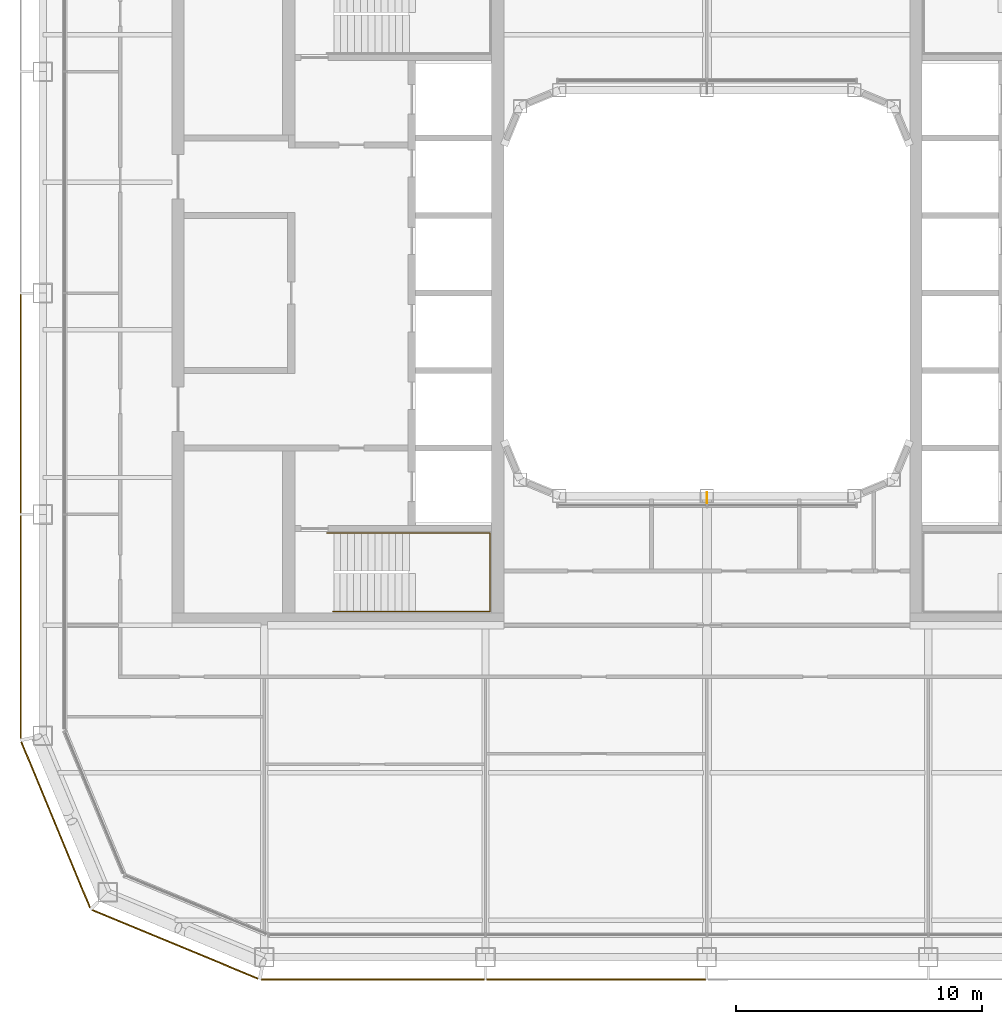
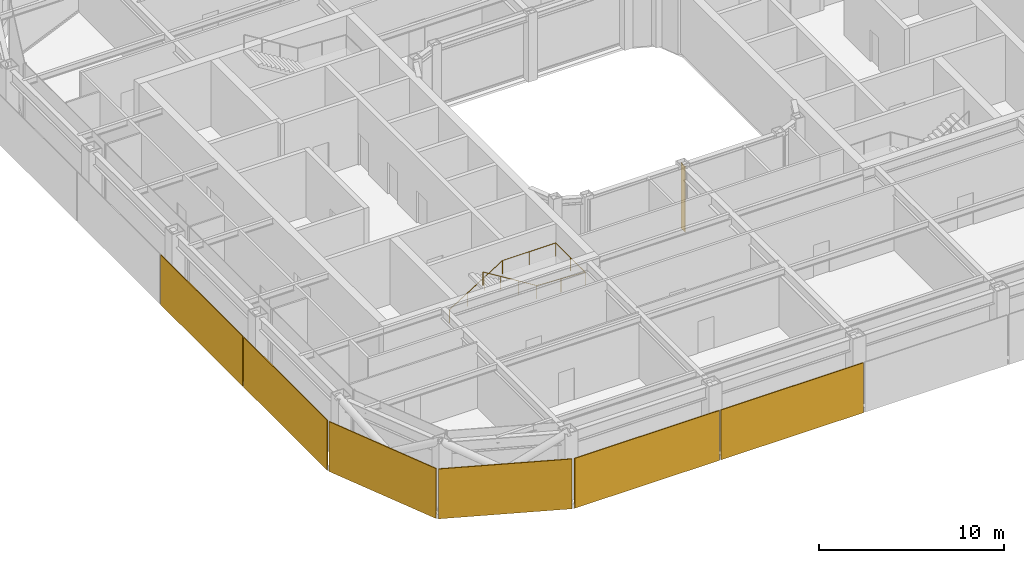
# One storey, part 19 of 23: 6 coverings, 1 railing, 1 shading device.
"""IFC4 building model written with IfcOpenShell, lengths in metres."""

from ifc_helpers import new_model, si_unit, direction, frame, origin, origin_2d, place, context, subcontext, project, spatial, rectangle, circle, extrude, material, layer, layer_set, type_object, element, save


model = new_model("IFC4")

# Units and contexts
model_context = context("Model", 3, precision=1e-05, world=origin(), true_north=direction((0.0, 1.0)))
body_context = subcontext(model_context, "Body", "Model", "MODEL_VIEW")
ifc_project = project(units=[si_unit("LENGTHUNIT", "METRE"), si_unit("AREAUNIT", "SQUARE_METRE"), si_unit("VOLUMEUNIT", "CUBIC_METRE"), si_unit("PLANEANGLEUNIT", "RADIAN"), si_unit("MASSUNIT", "GRAM", prefix="KILO")], contexts=[model_context])

# Site, building, storey
site_placement = place(None, origin())
site = spatial("IfcSite", under=ifc_project, at=site_placement, CompositionType="ELEMENT")
building_placement = place(site_placement, origin())
building = spatial("IfcBuilding", under=site, at=building_placement, Name="Siwar Civic Tower", CompositionType="ELEMENT")
storey_placement = place(building_placement, frame((0.0, 0.0, 242.199951171875)))
storey = spatial("IfcBuildingStorey", under=building, at=storey_placement, Name="L52", CompositionType="ELEMENT", Elevation=242.199951171875)

# Railing
ifc_material_1 = material(Name="Stainless steel", Category="steel")
railing_type = type_object("IfcRailingType", Name="CORE-STAIR-HANDRAIL", PredefinedType="HANDRAIL", material=ifc_material_1)
railing_placement = place(storey_placement, frame((-15.449951171875, -9.758056640625, 0.173095703125)))
element("IfcRailing", 1, at=railing_placement, inside=storey, type_object=railing_type, Name="Stair handrail ST2", PredefinedType="HANDRAIL", context=body_context, shape_type="SweptSolid", body=[
    extrude(circle(Radius=0.02001953125, at=origin_2d()), frame((0.0, 0.0, 0.8798828125), z_axis=(0.847063342986, 0.0, 0.531491950051), x_axis=(0.0, 1.0, 0.0)), (0.0, 0.0, 1.0), 3.90771484375),
    extrude(circle(Radius=0.02001953125, at=origin_2d()), frame((3.31005859375, 0.0, 2.956787109375), z_axis=(1.0, 0.0, 0.0), x_axis=(0.0, 1.0, 0.0)), (0.0, 0.0, 1.0), 3.331787109375),
    extrude(circle(Radius=0.02001953125, at=origin_2d()), frame((6.641845703125, 0.0, 2.956787109375), z_axis=(0.0, -1.0, 0.0), x_axis=(1.0, 0.0, 0.0)), (0.0, 0.0, 1.0), 3.183837890625),
    extrude(circle(Radius=0.02001953125, at=origin_2d()), frame((6.641845703125, -3.183837890625, 2.956787109375), z_axis=(-0.99837434197, 0.0, 0.056997134106), x_axis=(0.0, -1.0, 0.0)), (0.0, 0.0, 1.0), 3.036865234375),
    extrude(circle(Radius=0.02001953125, at=origin_2d()), frame((3.60986328125, -3.183837890625, 3.1298828125), z_axis=(-0.850606129759, 0.0, 0.525803396734), x_axis=(0.0, -1.0, 0.0)), (0.0, 0.0, 1.0), 3.949951171875),
    extrude(circle(Radius=0.02001953125, at=origin_2d()), origin(), (0.0, 0.0, 1.0), 0.85986328125),
    extrude(circle(Radius=0.02001953125, at=origin_2d()), frame((1.103271484375, 0.0, 0.6923828125)), (0.0, 0.0, 1.0), 0.85986328125),
    extrude(circle(Radius=0.02001953125, at=origin_2d()), frame((2.206787109375, 0.0, 1.384521484375)), (0.0, 0.0, 1.0), 0.85986328125),
    extrude(circle(Radius=0.02001953125, at=origin_2d()), frame((3.31005859375, 0.0, 2.076904296875)), (0.0, 0.0, 1.0), 0.85986328125),
    extrude(circle(Radius=0.02001953125, at=origin_2d()), frame((4.97607421875, 0.0, 2.076904296875)), (0.0, 0.0, 1.0), 0.85986328125),
    extrude(circle(Radius=0.02001953125, at=origin_2d()), frame((6.641845703125, 0.0, 2.076904296875)), (0.0, 0.0, 1.0), 0.85986328125),
    extrude(circle(Radius=0.02001953125, at=origin_2d()), frame((6.641845703125, -1.591796875, 2.076904296875)), (0.0, 0.0, 1.0), 0.85986328125),
    extrude(circle(Radius=0.02001953125, at=origin_2d()), frame((6.641845703125, -3.183837890625, 2.076904296875)), (0.0, 0.0, 1.0), 0.85986328125),
    extrude(circle(Radius=0.02001953125, at=origin_2d()), frame((5.1259765625, -3.183837890625, 2.16357421875)), (0.0, 0.0, 1.0), 0.85986328125),
    extrude(circle(Radius=0.02001953125, at=origin_2d()), frame((3.60986328125, -3.183837890625, 2.25)), (0.0, 0.0, 1.0), 0.85986328125),
    extrude(circle(Radius=0.02001953125, at=origin_2d()), frame((2.489990234375, -3.183837890625, 2.9423828125)), (0.0, 0.0, 1.0), 0.85986328125),
    extrude(circle(Radius=0.02001953125, at=origin_2d()), frame((1.369873046875, -3.183837890625, 3.634521484375)), (0.0, 0.0, 1.0), 0.85986328125),
    extrude(circle(Radius=0.02001953125, at=origin_2d()), frame((0.25, -3.183837890625, 4.326904296875)), (0.0, 0.0, 1.0), 0.85986328125),
])

# Shading device
ifc_material_2 = material(Name="Aluminium 6063-T6", Category="aluminium")
ifc_layer_1 = layer(ifc_material_2, 0.02001953125)
ifc_layer_set_1 = layer_set([ifc_layer_1], Name="Aluminium 6063-T6")
shading_device_type = type_object("IfcShadingDeviceType", Name="ENV-FIN", PredefinedType="JALOUSIE", material=ifc_layer_set_1)
shading_device_placement = place(storey_placement, frame((0.0, -8.320068359375, 0.0), z_axis=(0.0, 0.0, 1.0), x_axis=(1.0, 0.0, 0.0)))
element("IfcShadingDevice", 2, at=shading_device_placement, inside=storey, type_object=shading_device_type, Name="SUNSHADE fin WS 1", PredefinedType="JALOUSIE", context=body_context, shape_type="SweptSolid", body=[
    extrude(rectangle(XDim=0.02001953125, YDim=0.449951171875, at=origin_2d()), origin(), (0.0, 0.0, 1.0), 4.35009765625),
])

# Coverings
ifc_material_3 = material(Name="Perforated aluminium cassette, pale metal", Category="aluminium")
ifc_layer_2 = layer(ifc_material_3, 0.050048828125)
ifc_layer_set_2 = layer_set([ifc_layer_2], Name="Perforated aluminium cassette, pale metal")
covering_type_1 = type_object("IfcCoveringType", Name="ENV-OUTER SKIN OS-3", PredefinedType="CLADDING", material=ifc_layer_set_2)
covering_1_placement = place(storey_placement, frame((-27.89990234375, -4.5, -0.14990234375), z_axis=(0.0, 0.0, 1.0), x_axis=(0.0, -1.0, 0.0)))
element("IfcCovering", 3, at=covering_1_placement, inside=storey, type_object=covering_type_1, Name="OUTER SKIN OS-3 W 3", PredefinedType="CLADDING", context=body_context, shape_type="SweptSolid", body=[
    extrude(rectangle(XDim=8.89990234375, YDim=0.050048828125, at=origin_2d()), origin(), (0.0, 0.0, 1.0), 3.300048828125),
])
covering_2_placement = place(storey_placement, frame((-27.89990234375, -13.57958984375, -0.14990234375), z_axis=(0.0, 0.0, 1.0), x_axis=(0.0, -1.0, 0.0)))
element("IfcCovering", 4, at=covering_2_placement, inside=storey, type_object=covering_type_1, Name="OUTER SKIN OS-3 W 4", PredefinedType="CLADDING", context=body_context, shape_type="SweptSolid", body=[
    extrude(rectangle(XDim=9.05908203125, YDim=0.050048828125, at=origin_2d()), origin(), (0.0, 0.0, 1.0), 3.300048828125),
])
ifc_material_4 = material(Name="Perforated aluminium cassette, pale metal", Category="aluminium")
ifc_layer_3 = layer(ifc_material_4, 0.054931640625)
ifc_layer_set_3 = layer_set([ifc_layer_3], Name="Perforated aluminium cassette, pale metal")
covering_type_2 = type_object("IfcCoveringType", Name="ENV-OUTER SKIN OS-4", PredefinedType="CLADDING", material=ifc_layer_set_3)
covering_3_placement = place(storey_placement, frame((-13.57958984375, -27.89990234375, -0.14990234375), z_axis=(0.0, 0.0, 1.0), x_axis=(1.0, 0.0, 0.0)))
element("IfcCovering", 5, at=covering_3_placement, inside=storey, type_object=covering_type_2, Name="OUTER SKIN OS-4 S 1", PredefinedType="CLADDING", context=body_context, shape_type="SweptSolid", body=[
    extrude(rectangle(XDim=9.05908203125, YDim=0.054931640625, at=origin_2d()), origin(), (0.0, 0.0, 1.0), 3.300048828125),
])
covering_4_placement = place(storey_placement, frame((-4.5, -27.89990234375, -0.14990234375), z_axis=(0.0, 0.0, 1.0), x_axis=(1.0, 0.0, 0.0)))
element("IfcCovering", 6, at=covering_4_placement, inside=storey, type_object=covering_type_2, Name="OUTER SKIN OS-4 S 2", PredefinedType="CLADDING", context=body_context, shape_type="SweptSolid", body=[
    extrude(rectangle(XDim=8.89990234375, YDim=0.054931640625, at=origin_2d()), origin(), (0.0, 0.0, 1.0), 3.300048828125),
])
for number, where, z_axis, x_axis, name in (
    (7, (-26.476318359375, -21.615966796875, -0.14990234375), (0.0, 0.0, 1.0), (0.382683432365, -0.923879532511, 0.0), "OUTER SKIN OS-4 SW1 1"),
    (8, (-21.615966796875, -26.476318359375, -0.14990234375), (0.0, 0.0, 1.0), (0.923879532511, -0.382683432365, 0.0), "OUTER SKIN OS-4 SW2 1"),
):
    element("IfcCovering", number, at=place(storey_placement, frame(where, z_axis=z_axis, x_axis=x_axis)), inside=storey, type_object=covering_type_2, Name=name, PredefinedType="CLADDING", context=body_context, shape_type="SweptSolid", body=[
        extrude(rectangle(XDim=7.300048828125, YDim=0.054931640625, at=origin_2d()), origin(), (0.0, 0.0, 1.0), 3.300048828125),
    ])

save(model, "model.ifc")
